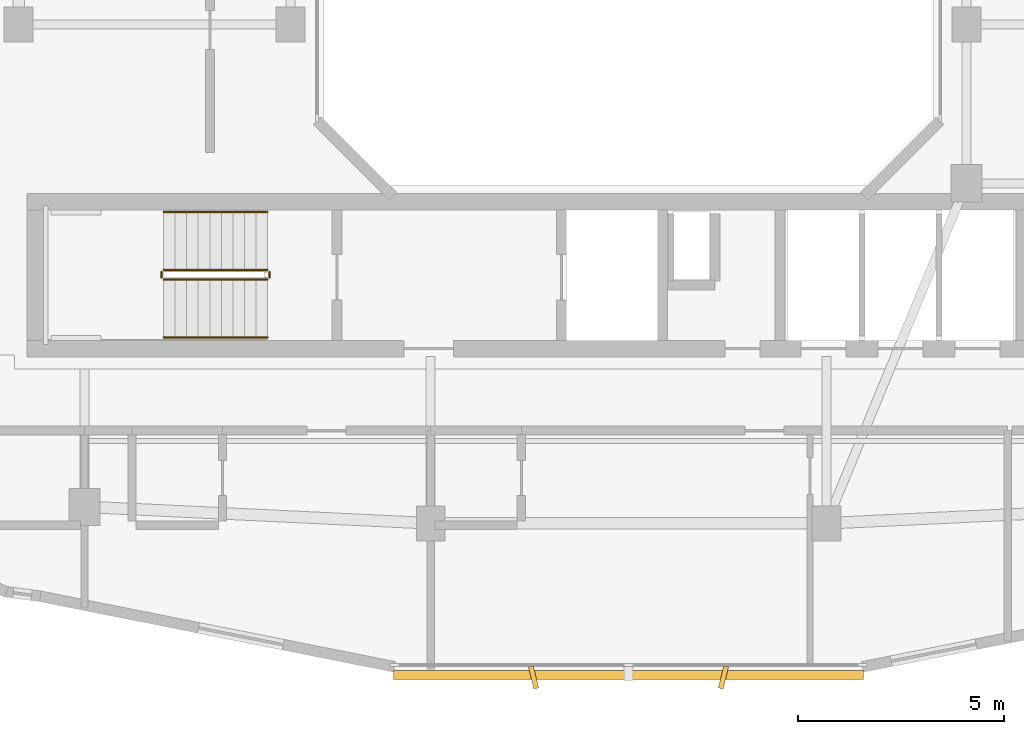
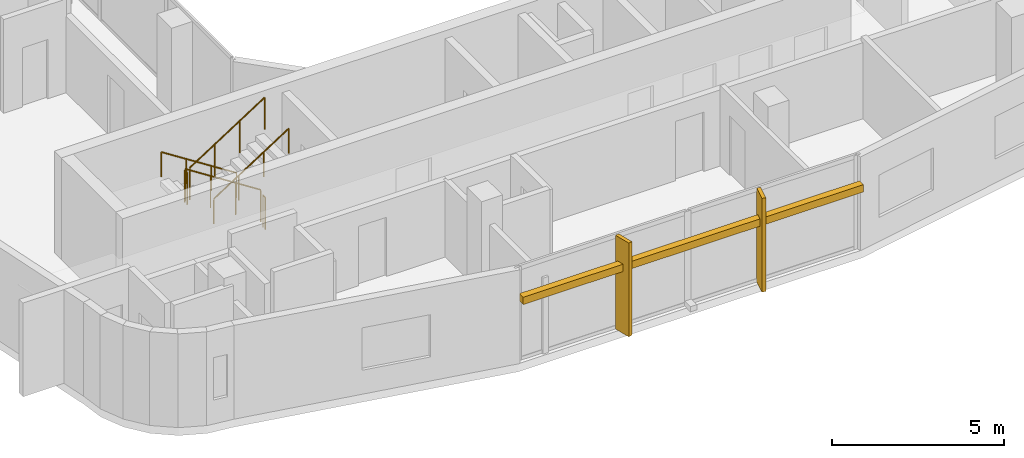
# One storey, part 11 of 14: 6 railings, 3 shading devices.
"""IFC4 building model written with IfcOpenShell, lengths in metres."""

from ifc_helpers import new_model, si_unit, derived_unit, direction, frame, origin, origin_2d, place, context, subcontext, project, spatial, rectangle, circle, extrude, material, type_object, element, save


model = new_model("IFC4")

# Units and contexts
model_context = context("Model", 3, precision=1e-05, world=origin(), true_north=direction((0.0, 1.0)))
body_context = subcontext(model_context, "Body", "Model", "MODEL_VIEW")
ifc_project = project(units=[si_unit("LENGTHUNIT", "METRE"), si_unit("AREAUNIT", "SQUARE_METRE"), si_unit("VOLUMEUNIT", "CUBIC_METRE"), si_unit("PLANEANGLEUNIT", "RADIAN"), si_unit("MASSUNIT", "GRAM", prefix="KILO"), derived_unit("THERMALTRANSMITTANCEUNIT", [(si_unit("POWERUNIT", "WATT"), 1), (si_unit("LENGTHUNIT", "METRE"), -2), (si_unit("THERMODYNAMICTEMPERATUREUNIT", "KELVIN"), -1)])], contexts=[model_context])

# Site, building, storey
site_placement = place(None, origin())
site = spatial("IfcSite", under=ifc_project, at=site_placement, CompositionType="ELEMENT")
building_placement = place(site_placement, origin())
building = spatial("IfcBuilding", under=site, at=building_placement, Name="Kivonza Crest Hotel", CompositionType="ELEMENT")
storey_placement = place(building_placement, frame((0.0, 0.0, 202.699951171875)))
storey = spatial("IfcBuildingStorey", under=building, at=storey_placement, Name="L55", CompositionType="ELEMENT", Elevation=202.699951171875)

# Railings
ifc_material_1 = material(Name="Brushed stainless steel handrail", Category="steel")
railing_type_1 = type_object("IfcRailingType", Name="RL-HAND-900", PredefinedType="HANDRAIL", material=ifc_material_1)
railing_1_placement = place(storey_placement, frame((12.239990234375, 16.949951171875, 0.179931640625)))
element("IfcRailing", 1, at=railing_1_placement, inside=storey, type_object=railing_type_1, Name="L55 ST-T1-S stair handrail 1", PredefinedType="HANDRAIL", context=body_context, shape_type="SweptSolid", body=[
    extrude(circle(Radius=0.02392578125, at=origin_2d()), frame((0.0, 0.0, 0.8759765625), z_axis=(-0.841162588446, 0.0, 0.540782303519), x_axis=(0.0, -1.0, 0.0)), (0.0, 0.0, 1.0), 2.995849609375),
    extrude(circle(Radius=0.02099609375, at=origin_2d()), origin(), (0.0, 0.0, 1.0), 0.851806640625),
    extrude(circle(Radius=0.02099609375, at=origin_2d()), frame((-0.840087890625, 0.0, 0.5400390625)), (0.0, 0.0, 1.0), 0.851806640625),
    extrude(circle(Radius=0.02099609375, at=origin_2d()), frame((-1.679931640625, 0.0, 1.080078125)), (0.0, 0.0, 1.0), 0.851806640625),
    extrude(circle(Radius=0.02099609375, at=origin_2d()), frame((-2.52001953125, 0.0, 1.6201171875)), (0.0, 0.0, 1.0), 0.851806640625),
])
railing_2_placement = place(storey_placement, frame((9.719970703125, 13.909912109375, 1.97998046875)))
element("IfcRailing", 2, at=railing_2_placement, inside=storey, type_object=railing_type_1, Name="L55 ST-T1-S stair handrail 2", PredefinedType="HANDRAIL", context=body_context, shape_type="SweptSolid", body=[
    extrude(circle(Radius=0.02392578125, at=origin_2d()), frame((0.0, 0.0, 0.8759765625), z_axis=(0.841162588446, 0.0, 0.540782303519), x_axis=(0.0, 1.0, 0.0)), (0.0, 0.0, 1.0), 2.995849609375),
    extrude(circle(Radius=0.02099609375, at=origin_2d()), origin(), (0.0, 0.0, 1.0), 0.851806640625),
    extrude(circle(Radius=0.02099609375, at=origin_2d()), frame((0.840087890625, 0.0, 0.5400390625)), (0.0, 0.0, 1.0), 0.851806640625),
    extrude(circle(Radius=0.02099609375, at=origin_2d()), frame((1.679931640625, 0.0, 1.080078125)), (0.0, 0.0, 1.0), 0.851806640625),
    extrude(circle(Radius=0.02099609375, at=origin_2d()), frame((2.52001953125, 0.0, 1.6201171875)), (0.0, 0.0, 1.0), 0.851806640625),
])
ifc_material_2 = material(Name="Painted steel balustrade", Category="steel")
railing_type_2 = type_object("IfcRailingType", Name="RL-STAIR-1150", PredefinedType="BALUSTRADE", material=ifc_material_2)
railing_3_placement = place(storey_placement, frame((12.239990234375, 15.550048828125, 0.179931640625)))
element("IfcRailing", 3, at=railing_3_placement, inside=storey, type_object=railing_type_2, Name="L55 ST-T1-S stair guard 1", PredefinedType="BALUSTRADE", context=body_context, shape_type="SweptSolid", body=[
    extrude(circle(Radius=0.02392578125, at=origin_2d()), frame((0.0, 0.0, 1.1259765625), z_axis=(-0.841162588446, 0.0, 0.540782303519), x_axis=(0.0, -1.0, 0.0)), (0.0, 0.0, 1.0), 2.995849609375),
    extrude(circle(Radius=0.02099609375, at=origin_2d()), origin(), (0.0, 0.0, 1.0), 1.101806640625),
    extrude(circle(Radius=0.02099609375, at=origin_2d()), frame((-0.840087890625, 0.0, 0.5400390625)), (0.0, 0.0, 1.0), 1.101806640625),
    extrude(circle(Radius=0.02099609375, at=origin_2d()), frame((-1.679931640625, 0.0, 1.080078125)), (0.0, 0.0, 1.0), 1.101806640625),
    extrude(circle(Radius=0.02099609375, at=origin_2d()), frame((-2.52001953125, 0.0, 1.6201171875)), (0.0, 0.0, 1.0), 1.101806640625),
])
railing_4_placement = place(storey_placement, frame((9.669921875, 15.5, 1.800048828125)))
element("IfcRailing", 4, at=railing_4_placement, inside=storey, type_object=railing_type_2, Name="L55 ST-T1-S stair guard 2", PredefinedType="BALUSTRADE", context=body_context, shape_type="SweptSolid", body=[
    extrude(circle(Radius=0.02392578125, at=origin_2d()), frame((0.0, 0.0, 1.1259765625), z_axis=(0.0, -1.0, 0.0), x_axis=(1.0, 0.0, 0.0)), (0.0, 0.0, 1.0), 0.139892578125),
    extrude(circle(Radius=0.02099609375, at=origin_2d()), origin(), (0.0, 0.0, 1.0), 1.101806640625),
    extrude(circle(Radius=0.02099609375, at=origin_2d()), frame((0.0, -0.139892578125, 0.0)), (0.0, 0.0, 1.0), 1.101806640625),
])
railing_5_placement = place(storey_placement, frame((9.719970703125, 15.31005859375, 1.97998046875)))
element("IfcRailing", 5, at=railing_5_placement, inside=storey, type_object=railing_type_2, Name="L55 ST-T1-S stair guard 3", PredefinedType="BALUSTRADE", context=body_context, shape_type="SweptSolid", body=[
    extrude(circle(Radius=0.02392578125, at=origin_2d()), frame((0.0, 0.0, 1.1259765625), z_axis=(0.841162588446, 0.0, 0.540782303519), x_axis=(0.0, 1.0, 0.0)), (0.0, 0.0, 1.0), 2.995849609375),
    extrude(circle(Radius=0.02099609375, at=origin_2d()), origin(), (0.0, 0.0, 1.0), 1.101806640625),
    extrude(circle(Radius=0.02099609375, at=origin_2d()), frame((0.840087890625, 0.0, 0.5400390625)), (0.0, 0.0, 1.0), 1.101806640625),
    extrude(circle(Radius=0.02099609375, at=origin_2d()), frame((1.679931640625, 0.0, 1.080078125)), (0.0, 0.0, 1.0), 1.101806640625),
    extrude(circle(Radius=0.02099609375, at=origin_2d()), frame((2.52001953125, 0.0, 1.6201171875)), (0.0, 0.0, 1.0), 1.101806640625),
])
railing_6_placement = place(storey_placement, frame((12.2900390625, 15.5, 0.0)))
element("IfcRailing", 6, at=railing_6_placement, inside=storey, type_object=railing_type_2, Name="L55 ST-T1-S stair guard 4", PredefinedType="BALUSTRADE", context=body_context, shape_type="SweptSolid", body=[
    extrude(circle(Radius=0.02392578125, at=origin_2d()), frame((0.0, 0.0, 1.1259765625), z_axis=(0.0, -1.0, 0.0), x_axis=(1.0, 0.0, 0.0)), (0.0, 0.0, 1.0), 0.139892578125),
    extrude(circle(Radius=0.02099609375, at=origin_2d()), origin(), (0.0, 0.0, 1.0), 1.101806640625),
    extrude(circle(Radius=0.02099609375, at=origin_2d()), frame((0.0, -0.139892578125, 0.0)), (0.0, 0.0, 1.0), 1.101806640625),
])

# Shading devices
ifc_material_3 = material(Name="Kiln-fired Nairobi red-ochre terracotta", Category="masonry")
shading_device_type_1 = type_object("IfcShadingDeviceType", Name="SH-BAGUETTE-300", PredefinedType="USERDEFINED", material=ifc_material_3)
shading_device_placement = place(storey_placement, frame((21.0, 5.719970703125, 2.19384765625), z_axis=(0.0, 0.0, 1.0), x_axis=(1.0, 0.0, 0.0)))
element("IfcShadingDevice", 7, at=shading_device_placement, inside=storey, type_object=shading_device_type_1, Name="L55 terracotta baguette screen CW-T1-L55-08", ObjectType="BAGUETTE", PredefinedType="USERDEFINED", context=body_context, shape_type="SweptSolid", body=[
    extrude(rectangle(XDim=11.39990234375, YDim=0.219970703125, at=origin_2d()), origin(), (0.0, 0.0, 1.0), 0.260009765625),
])
ifc_material_4 = material(Name="Kiln-fired terracotta over extruded aluminium spine", Category="masonry")
shading_device_type_2 = type_object("IfcShadingDeviceType", Name="SH-FIN-550", PredefinedType="USERDEFINED", material=ifc_material_4)
for number, where, z_axis, x_axis, name in (
    (8, (18.696044921875, 5.659912109375, 0.0), (0.0, 0.0, 1.0), (0.970295726276, 0.2419218956, 0.0), "L55 vertical solar shading fin CW-T1-L55-08-1"),
    (9, (23.303955078125, 5.659912109375, 0.0), (0.0, 0.0, 1.0), (0.970295726276, -0.2419218956, 0.0), "L55 vertical solar shading fin CW-T1-L55-08-2"),
):
    element("IfcShadingDevice", number, at=place(storey_placement, frame(where, z_axis=z_axis, x_axis=x_axis)), inside=storey, type_object=shading_device_type_2, Name=name, ObjectType="FIN", PredefinedType="USERDEFINED", context=body_context, shape_type="SweptSolid", body=[
        extrude(rectangle(XDim=0.1201171875, YDim=0.550048828125, at=origin_2d()), origin(), (0.0, 0.0, 1.0), 3.320068359375),
    ])

save(model, "model.ifc")
